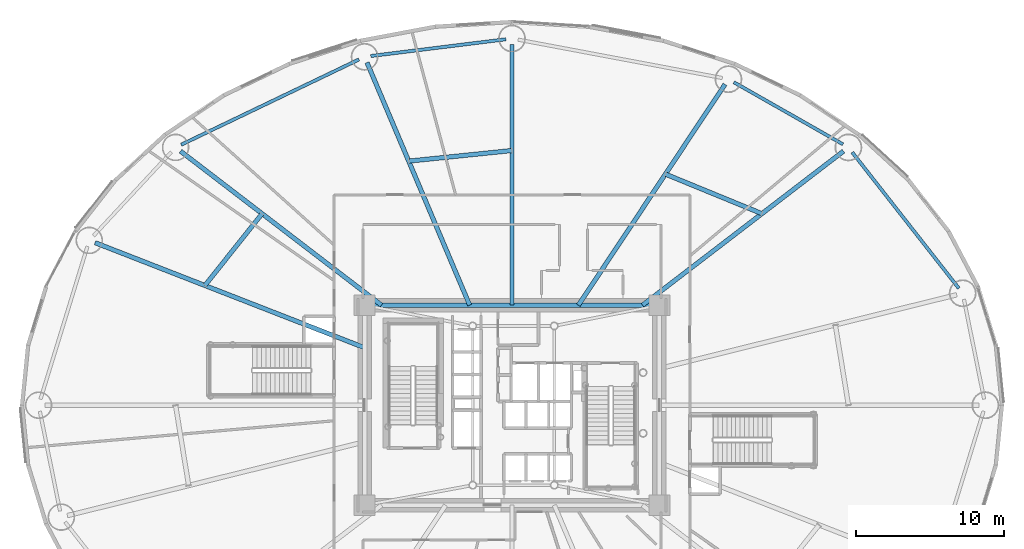
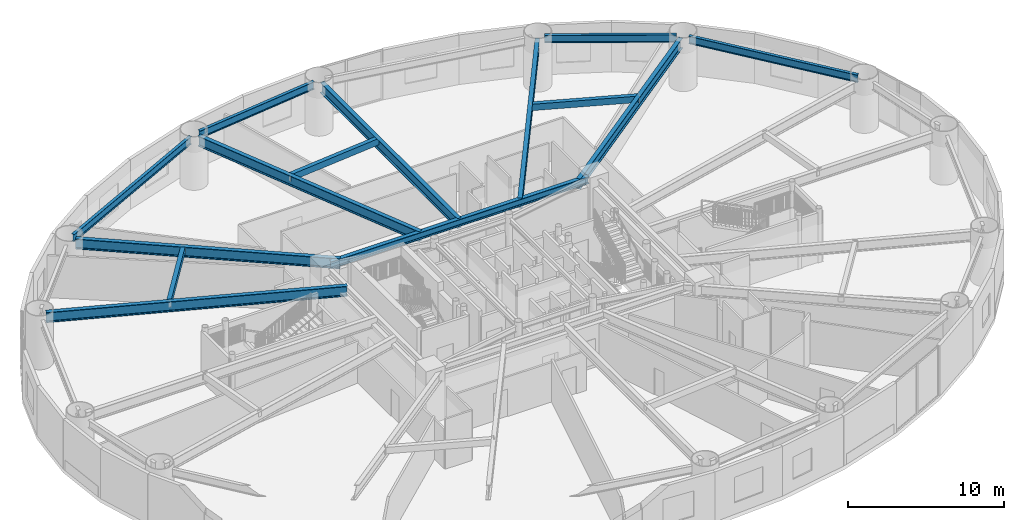
# One storey, part 9 of 31: 14 beams.
"""IFC4 building model written with IfcOpenShell, lengths in metres."""

from ifc_helpers import new_model, si_unit, direction, frame, origin, origin_2d, place, context, subcontext, project, spatial, hollow_rectangle, i_section, extrude, material, material_profile, profile_set, type_object, element, save


model = new_model("IFC4")

# Units and contexts
model_context = context("Model", 3, precision=1e-05, world=origin(), true_north=direction((0.0, 1.0)))
body_context = subcontext(model_context, "Body", "Model", "MODEL_VIEW")
ifc_project = project(units=[si_unit("LENGTHUNIT", "METRE"), si_unit("AREAUNIT", "SQUARE_METRE"), si_unit("VOLUMEUNIT", "CUBIC_METRE"), si_unit("PLANEANGLEUNIT", "RADIAN"), si_unit("MASSUNIT", "GRAM", prefix="KILO")], contexts=[model_context])

# Site, building, storey
site_placement = place(None, origin())
site = spatial("IfcSite", under=ifc_project, at=site_placement, CompositionType="ELEMENT")
building_placement = place(site_placement, origin())
building = spatial("IfcBuilding", under=site, at=building_placement, Name="Linh Dai School and Residence Tower", CompositionType="ELEMENT")
storey_placement = place(building_placement, frame((0.0, 0.0, 6.0)))
storey = spatial("IfcBuildingStorey", under=building, at=storey_placement, Name="L01", CompositionType="ELEMENT", Elevation=6.0)

# Beams
ifc_material = material(Name="Structural Steel S355JR", Category="steel")
ifc_material_profile_1 = material_profile(ifc_material, hollow_rectangle(XDim=0.300048828125, YDim=0.5, WallThickness=0.01611328125, at=origin_2d()), Name="RHS 500x300x16")
ifc_profile_set_1 = profile_set([ifc_material_profile_1], Name="Structural Steel S355JR")
beam_type_1 = type_object("IfcBeamType", Name="BM-BX5", PredefinedType="BEAM", material=ifc_profile_set_1)
beam_1_placement = place(storey_placement, frame((52.86376953125, 39.92919921875, 3.64990234375), z_axis=(-0.925227399646, 0.3794130453, 0.0), x_axis=(-0.3794130453, -0.925227399646, 0.0)))
element("IfcBeam", 1, at=beam_1_placement, inside=storey, type_object=beam_type_1, Name="L01 Secondary Circumferential Floor Beam 02", PredefinedType="BEAM", context=body_context, shape_type="SweptSolid", body=[
    extrude(hollow_rectangle(XDim=0.300048828125, YDim=0.5, WallThickness=0.01611328125, at=origin_2d()), origin(), (0.0, 0.0, 1.0), 7.029296875),
])
beam_2_placement = place(storey_placement, frame((35.9951171875, 44.189453125, 3.64990234375), z_axis=(-0.994772627995, -0.102114732487, 0.0), x_axis=(0.102114732487, -0.994772627995, 0.0)))
element("IfcBeam", 2, at=beam_2_placement, inside=storey, type_object=beam_type_1, Name="L01 Secondary Circumferential Floor Beam 03", PredefinedType="BEAM", context=body_context, shape_type="SweptSolid", body=[
    extrude(hollow_rectangle(XDim=0.300048828125, YDim=0.5, WallThickness=0.01611328125, at=origin_2d()), origin(), (0.0, 0.0, 1.0), 6.998046875),
])
beam_3_placement = place(storey_placement, frame((19.128662109375, 39.923583984375, 3.64990234375), z_axis=(-0.622932148127, -0.782275871308, 0.0), x_axis=(0.782275871308, -0.622932148127, 0.0)))
element("IfcBeam", 3, at=beam_3_placement, inside=storey, type_object=beam_type_1, Name="L01 Secondary Circumferential Floor Beam 04", PredefinedType="BEAM", context=body_context, shape_type="SweptSolid", body=[
    extrude(hollow_rectangle(XDim=0.300048828125, YDim=0.5, WallThickness=0.01611328125, at=origin_2d()), origin(), (0.0, 0.0, 1.0), 6.186767578125),
])
ifc_material_profile_2 = material_profile(ifc_material, i_section(OverallWidth=0.219970703125, OverallDepth=0.60009765625, WebThickness=0.011962890625, FlangeThickness=0.01904296875, FilletRadius=0.02392578125, at=origin_2d()), Name="IPE 600")
ifc_profile_set_2 = profile_set([ifc_material_profile_2], Name="Structural Steel S355JR")
beam_type_2 = type_object("IfcBeamType", Name="BM-RB60", PredefinedType="BEAM", material=ifc_profile_set_2)
beam_4_placement = place(storey_placement, frame((66.161376953125, 34.885986328125, 3.60009765625), z_axis=(-0.616811949607, 0.787110550572, 0.0), x_axis=(-0.787110550572, -0.616811949607, 0.0)))
element("IfcBeam", 4, at=beam_4_placement, inside=storey, type_object=beam_type_2, Name="L01 Perimeter Elliptical Ring Beam 02", PredefinedType="BEAM", context=body_context, shape_type="SweptSolid", body=[
    extrude(i_section(OverallWidth=0.219970703125, OverallDepth=0.60009765625, WebThickness=0.011962890625, FlangeThickness=0.01904296875, FilletRadius=0.02392578125, at=origin_2d()), origin(), (0.0, 0.0, 1.0), 11.668212890625),
])
beam_5_placement = place(storey_placement, frame((58.340087890625, 44.6083984375, 3.60009765625), z_axis=(-0.869246663758, 0.494378637833, 0.0), x_axis=(-0.494378637833, -0.869246663758, 0.0)))
element("IfcBeam", 5, at=beam_5_placement, inside=storey, type_object=beam_type_2, Name="L01 Perimeter Elliptical Ring Beam 03", PredefinedType="BEAM", context=body_context, shape_type="SweptSolid", body=[
    extrude(i_section(OverallWidth=0.219970703125, OverallDepth=0.60009765625, WebThickness=0.011962890625, FlangeThickness=0.01904296875, FilletRadius=0.02392578125, at=origin_2d()), origin(), (0.0, 0.0, 1.0), 8.4736328125),
])
beam_6_placement = place(storey_placement, frame((35.583251953125, 51.6982421875, 3.60009765625), z_axis=(-0.992402470446, -0.123033884169, 0.0), x_axis=(0.123033884169, -0.992402470446, 0.0)))
element("IfcBeam", 6, at=beam_6_placement, inside=storey, type_object=beam_type_2, Name="L01 Perimeter Elliptical Ring Beam 05", PredefinedType="BEAM", context=body_context, shape_type="SweptSolid", body=[
    extrude(i_section(OverallWidth=0.219970703125, OverallDepth=0.60009765625, WebThickness=0.011962890625, FlangeThickness=0.01904296875, FilletRadius=0.02392578125, at=origin_2d()), origin(), (0.0, 0.0, 1.0), 9.1875),
])
beam_7_placement = place(storey_placement, frame((25.670166015625, 50.33447265625, 3.60009765625), z_axis=(-0.901703667424, -0.432354595388, 0.0), x_axis=(0.432354595388, -0.901703667424, 0.0)))
element("IfcBeam", 7, at=beam_7_placement, inside=storey, type_object=beam_type_2, Name="L01 Perimeter Elliptical Ring Beam 06", PredefinedType="BEAM", context=body_context, shape_type="SweptSolid", body=[
    extrude(i_section(OverallWidth=0.219970703125, OverallDepth=0.60009765625, WebThickness=0.011962890625, FlangeThickness=0.01904296875, FilletRadius=0.02392578125, at=origin_2d()), origin(), (0.0, 0.0, 1.0), 13.304443359375),
])
ifc_material_profile_3 = material_profile(ifc_material, i_section(OverallWidth=0.300048828125, OverallDepth=0.550048828125, WebThickness=0.014892578125, FlangeThickness=0.029052734375, FilletRadius=0.027099609375, at=origin_2d()), Name="HEB 550")
ifc_profile_set_3 = profile_set([ifc_material_profile_3], Name="Structural Steel S355JR")
beam_type_3 = type_object("IfcBeamType", Name="BM-RG55", PredefinedType="BEAM", material=ifc_profile_set_3)
beam_8_placement = place(storey_placement, frame((45.530029296875, 33.75, 3.625), z_axis=(-1.0, 0.0, 0.0), x_axis=(0.0, -1.0, 0.0)))
element("IfcBeam", 8, at=beam_8_placement, inside=storey, type_object=beam_type_3, Name="L01 Core Perimeter Coupling Girder 3", PredefinedType="BEAM", context=body_context, shape_type="SweptSolid", body=[
    extrude(i_section(OverallWidth=0.300048828125, OverallDepth=0.550048828125, WebThickness=0.014892578125, FlangeThickness=0.029052734375, FilletRadius=0.027099609375, at=origin_2d()), origin(), (0.0, 0.0, 1.0), 19.06005859375),
])
ifc_material_profile_4 = material_profile(ifc_material, i_section(OverallWidth=0.300048828125, OverallDepth=0.800048828125, WebThickness=0.017578125, FlangeThickness=0.032958984375, FilletRadius=0.030029296875, at=origin_2d()), Name="HEB 800")
ifc_profile_set_4 = profile_set([ifc_material_profile_4], Name="Structural Steel S355JR")
beam_type_4 = type_object("IfcBeamType", Name="BM-RG8", PredefinedType="BEAM", material=ifc_profile_set_4)
beam_9_placement = place(storey_placement, frame((44.807861328125, 33.75, 3.5), z_axis=(0.793713040757, 0.608292371259, 0.0), x_axis=(-0.608292371259, 0.793713040757, 0.0)))
element("IfcBeam", 9, at=beam_9_placement, inside=storey, type_object=beam_type_4, Name="L01 Primary Radial Floor Girder 03", PredefinedType="BEAM", context=body_context, shape_type="SweptSolid", body=[
    extrude(i_section(OverallWidth=0.300048828125, OverallDepth=0.800048828125, WebThickness=0.017578125, FlangeThickness=0.032958984375, FilletRadius=0.030029296875, at=origin_2d()), origin(), (0.0, 0.0, 1.0), 17.08935546875),
])
beam_10_placement = place(storey_placement, frame((40.481201171875, 33.75, 3.5), z_axis=(0.553108911901, 0.833108955404, 0.0), x_axis=(-0.833108955404, 0.553108911901, 0.0)))
element("IfcBeam", 10, at=beam_10_placement, inside=storey, type_object=beam_type_4, Name="L01 Primary Radial Floor Girder 04", PredefinedType="BEAM", context=body_context, shape_type="SweptSolid", body=[
    extrude(i_section(OverallWidth=0.300048828125, OverallDepth=0.800048828125, WebThickness=0.017578125, FlangeThickness=0.032958984375, FilletRadius=0.030029296875, at=origin_2d()), origin(), (0.0, 0.0, 1.0), 17.89111328125),
])
beam_11_placement = place(storey_placement, frame((36.0, 33.75, 3.5), z_axis=(0.0, 1.0, 0.0), x_axis=(-1.0, 0.0, 0.0)))
element("IfcBeam", 11, at=beam_11_placement, inside=storey, type_object=beam_type_4, Name="L01 Primary Radial Floor Girder 05", PredefinedType="BEAM", context=body_context, shape_type="SweptSolid", body=[
    extrude(i_section(OverallWidth=0.300048828125, OverallDepth=0.800048828125, WebThickness=0.017578125, FlangeThickness=0.032958984375, FilletRadius=0.030029296875, at=origin_2d()), origin(), (0.0, 0.0, 1.0), 17.580078125),
])
beam_12_placement = place(storey_placement, frame((33.1435546875, 33.75, 3.5), z_axis=(-0.389695518128, 0.920943756779, 0.0), x_axis=(-0.920943756779, -0.389695518128, 0.0)))
element("IfcBeam", 12, at=beam_12_placement, inside=storey, type_object=beam_type_4, Name="L01 Primary Radial Floor Girder 06", PredefinedType="BEAM", context=body_context, shape_type="SweptSolid", body=[
    extrude(i_section(OverallWidth=0.300048828125, OverallDepth=0.800048828125, WebThickness=0.017578125, FlangeThickness=0.032958984375, FilletRadius=0.030029296875, at=origin_2d()), origin(), (0.0, 0.0, 1.0), 17.785400390625),
])
beam_13_placement = place(storey_placement, frame((27.192138671875, 33.75, 3.5), z_axis=(-0.793713040757, 0.608292371259, 0.0), x_axis=(-0.608292371259, -0.793713040757, 0.0)))
element("IfcBeam", 13, at=beam_13_placement, inside=storey, type_object=beam_type_4, Name="L01 Primary Radial Floor Girder 07", PredefinedType="BEAM", context=body_context, shape_type="SweptSolid", body=[
    extrude(i_section(OverallWidth=0.300048828125, OverallDepth=0.800048828125, WebThickness=0.017578125, FlangeThickness=0.032958984375, FilletRadius=0.030029296875, at=origin_2d()), origin(), (0.0, 0.0, 1.0), 17.08935546875),
])
beam_14_placement = place(storey_placement, frame((26.050048828125, 30.87841796875, 3.5), z_axis=(-0.931723276589, 0.363169018312, 0.0), x_axis=(-0.363169018312, -0.931723276589, 0.0)))
element("IfcBeam", 14, at=beam_14_placement, inside=storey, type_object=beam_type_4, Name="L01 Primary Radial Floor Girder 08", PredefinedType="BEAM", context=body_context, shape_type="SweptSolid", body=[
    extrude(i_section(OverallWidth=0.300048828125, OverallDepth=0.800048828125, WebThickness=0.017578125, FlangeThickness=0.032958984375, FilletRadius=0.030029296875, at=origin_2d()), origin(), (0.0, 0.0, 1.0), 19.525634765625),
])

save(model, "model.ifc")
